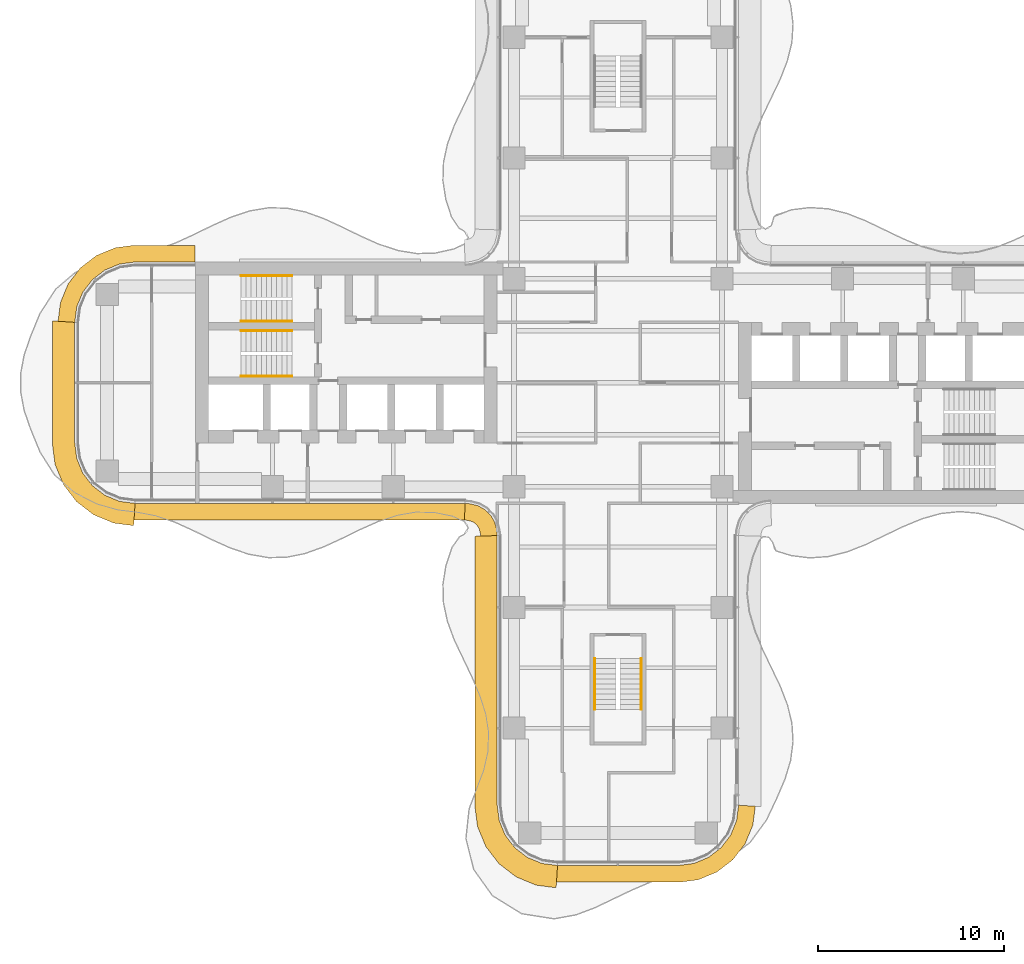
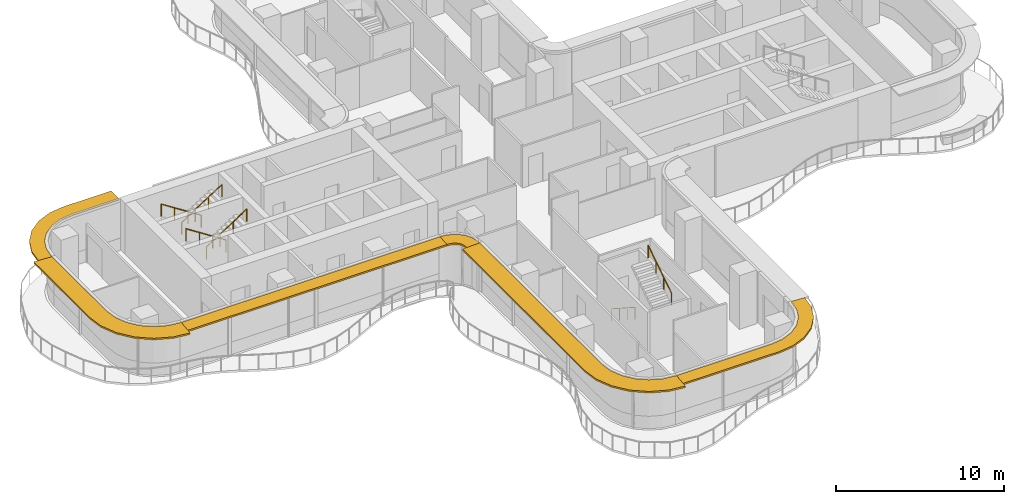
# One storey, part 17 of 18: 6 railings, 6 shading devices.
"""IFC4 building model written with IfcOpenShell, lengths in metres."""

from ifc_helpers import new_model, si_unit, direction, frame, origin, origin_2d, place, context, subcontext, project, spatial, polyline, circle, outline, extrude, source, transform, mapped, material, layer, layer_set, type_object, element, save


model = new_model("IFC4")

# Units and contexts
model_context = context("Model", 3, precision=1e-05, world=origin(), true_north=direction((0.0, 1.0)))
body_context = subcontext(model_context, "Body", "Model", "MODEL_VIEW")
ifc_project = project(units=[si_unit("LENGTHUNIT", "METRE"), si_unit("AREAUNIT", "SQUARE_METRE"), si_unit("VOLUMEUNIT", "CUBIC_METRE"), si_unit("PLANEANGLEUNIT", "RADIAN"), si_unit("MASSUNIT", "GRAM", prefix="KILO")], contexts=[model_context])

# Site, building, storey
site_placement = place(None, origin())
site = spatial("IfcSite", under=ifc_project, at=site_placement, CompositionType="ELEMENT")
building_placement = place(site_placement, origin())
building = spatial("IfcBuilding", under=site, at=building_placement, Name="Trellis Farm Tower", CompositionType="ELEMENT")
storey_placement = place(building_placement, frame((0.0, 0.0, 169.800048828125)))
storey = spatial("IfcBuildingStorey", under=building, at=storey_placement, Name="L36", CompositionType="ELEMENT", Elevation=169.800048828125)

# Railings
ifc_material_1 = material(Name="Stainless steel", Category="steel")
railing_type = type_object("IfcRailingType", Name="STAIR HANDRAIL 900", PredefinedType="HANDRAIL", material=ifc_material_1)
shared_shape_1 = source(origin(), body_context, "Body", "SweptSolid", [
    extrude(circle(Radius=0.02392578125, at=origin_2d()), frame((0.0, 0.0, 0.8759765625), z_axis=(0.0, 0.840503830235, 0.541805602924), x_axis=(-1.0, 0.0, 0.0)), (0.0, 0.0, 1.0), 3.271728515625),
    extrude(circle(Radius=0.02099609375, at=origin_2d()), origin(), (0.0, 0.0, 1.0), 0.851806640625),
    extrude(circle(Radius=0.02099609375, at=origin_2d()), frame((0.0, 0.916748046875, 0.5908203125)), (0.0, 0.0, 1.0), 0.851806640625),
    extrude(circle(Radius=0.02099609375, at=origin_2d()), frame((0.0, 1.833251953125, 1.181884765625)), (0.0, 0.0, 1.0), 0.851806640625),
    extrude(circle(Radius=0.02099609375, at=origin_2d()), frame((0.0, 2.75, 1.772705078125)), (0.0, 0.0, 1.0), 0.851806640625),
])
railing_1_placement = place(storey_placement, frame((1.25, -17.60009765625, 2.127197265625)))
element("IfcRailing", 1, at=railing_1_placement, inside=storey, type_object=railing_type, Name="Stair handrail", PredefinedType="HANDRAIL", context=body_context, shape_type="MappedRepresentation", body=[
    mapped(shared_shape_1, transform((0.0, 0.0, 0.0))),
])
shared_shape_2 = source(origin(), body_context, "Body", "SweptSolid", [
    extrude(circle(Radius=0.02392578125, at=origin_2d()), frame((0.0, 0.0, 0.8759765625), z_axis=(0.0, -0.840503830235, 0.541805602924), x_axis=(1.0, 0.0, 0.0)), (0.0, 0.0, 1.0), 3.271728515625),
    extrude(circle(Radius=0.02099609375, at=origin_2d()), origin(), (0.0, 0.0, 1.0), 0.851806640625),
    extrude(circle(Radius=0.02099609375, at=origin_2d()), frame((0.0, -0.916748046875, 0.5908203125)), (0.0, 0.0, 1.0), 0.851806640625),
    extrude(circle(Radius=0.02099609375, at=origin_2d()), frame((0.0, -1.833251953125, 1.181884765625)), (0.0, 0.0, 1.0), 0.851806640625),
    extrude(circle(Radius=0.02099609375, at=origin_2d()), frame((0.0, -2.75, 1.772705078125)), (0.0, 0.0, 1.0), 0.851806640625),
])
railing_2_placement = place(storey_placement, frame((-1.25, -14.85009765625, 0.17724609375)))
element("IfcRailing", 2, at=railing_2_placement, inside=storey, type_object=railing_type, Name="Stair handrail", PredefinedType="HANDRAIL", context=body_context, shape_type="MappedRepresentation", body=[
    mapped(shared_shape_2, transform((0.0, 0.0, 0.0))),
])
shared_shape_3 = source(origin(), body_context, "Body", "SweptSolid", [
    extrude(circle(Radius=0.02392578125, at=origin_2d()), frame((0.0, 0.0, 0.8759765625), z_axis=(0.840503830235, 0.0, 0.541805602924), x_axis=(0.0, 1.0, 0.0)), (0.0, 0.0, 1.0), 3.271728515625),
    extrude(circle(Radius=0.02099609375, at=origin_2d()), origin(), (0.0, 0.0, 1.0), 0.851806640625),
    extrude(circle(Radius=0.02099609375, at=origin_2d()), frame((0.916748046875, 0.0, 0.5908203125)), (0.0, 0.0, 1.0), 0.851806640625),
    extrude(circle(Radius=0.02099609375, at=origin_2d()), frame((1.833251953125, 0.0, 1.181884765625)), (0.0, 0.0, 1.0), 0.851806640625),
    extrude(circle(Radius=0.02099609375, at=origin_2d()), frame((2.75, 0.0, 1.772705078125)), (0.0, 0.0, 1.0), 0.851806640625),
])
for number, where, name in (
    (3, (-20.300048828125, 3.300048828125, 2.127197265625), "Stair handrail"),
    (4, (-20.300048828125, 0.35009765625, 2.127197265625), "Stair handrail"),
):
    element("IfcRailing", number, at=place(storey_placement, frame(where)), inside=storey, type_object=railing_type, Name=name, PredefinedType="HANDRAIL", context=body_context, shape_type="MappedRepresentation", body=[
        mapped(shared_shape_3, transform((0.0, 0.0, 0.0))),
    ])
shared_shape_4 = source(origin(), body_context, "Body", "SweptSolid", [
    extrude(circle(Radius=0.02392578125, at=origin_2d()), frame((0.0, 0.0, 0.8759765625), z_axis=(-0.840503830235, 0.0, 0.541805602924), x_axis=(0.0, -1.0, 0.0)), (0.0, 0.0, 1.0), 3.271728515625),
    extrude(circle(Radius=0.02099609375, at=origin_2d()), origin(), (0.0, 0.0, 1.0), 0.851806640625),
    extrude(circle(Radius=0.02099609375, at=origin_2d()), frame((-0.916748046875, 0.0, 0.5908203125)), (0.0, 0.0, 1.0), 0.851806640625),
    extrude(circle(Radius=0.02099609375, at=origin_2d()), frame((-1.833251953125, 0.0, 1.181884765625)), (0.0, 0.0, 1.0), 0.851806640625),
    extrude(circle(Radius=0.02099609375, at=origin_2d()), frame((-2.75, 0.0, 1.772705078125)), (0.0, 0.0, 1.0), 0.851806640625),
])
for number, where, name in (
    (5, (-17.550048828125, 5.75, 0.17724609375), "Stair handrail"),
    (6, (-17.550048828125, 2.800048828125, 0.17724609375), "Stair handrail"),
):
    element("IfcRailing", number, at=place(storey_placement, frame(where)), inside=storey, type_object=railing_type, Name=name, PredefinedType="HANDRAIL", context=body_context, shape_type="MappedRepresentation", body=[
        mapped(shared_shape_4, transform((0.0, 0.0, 0.0))),
    ])

# Shading devices
ifc_material_2 = material(Name="Aluminium extrusion 6063-T6", Category="aluminium")
ifc_layer_1 = layer(ifc_material_2, 0.1201171875)
ifc_layer_set_1 = layer_set([ifc_layer_1], Name="SUNSHADE BLADE 900")
shading_device_type_1 = type_object("IfcShadingDeviceType", Name="SUNSHADE BLADE 900", PredefinedType="USERDEFINED", material=ifc_layer_set_1)
shared_shape_5 = source(origin(), body_context, "Body", "SweptSolid", [
    extrude(outline(polyline([(-8.2607421875, -7.39990234375), (-8.107666015625, -7.409912109375), (-8.091552734375, -7.412109375), (-7.85595703125, -7.475341796875), (-7.697021484375, -7.567138671875), (-7.567138671875, -7.697021484375), (-7.475341796875, -7.85595703125), (-7.412109375, -8.091552734375), (-7.409912109375, -8.107666015625), (-7.39990234375, -8.2607421875), (-6.5, -8.2314453125), (-6.513916015625, -8.01953125), (-6.527587890625, -7.91552734375), (-6.63671875, -7.508544921875), (-6.846923828125, -7.144287109375), (-7.144287109375, -6.846923828125), (-7.508544921875, -6.63671875), (-7.91552734375, -6.527587890625), (-8.01953125, -6.513916015625), (-8.2314453125, -6.5), (-8.2607421875, -7.39990234375)])), origin(), (0.0, 0.0, 1.0), 0.119873046875),
])
placement = place(storey_placement, frame((0.0, 0.0, 3.5400390625)))
element("IfcShadingDevice", 7, at=placement, inside=storey, type_object=shading_device_type_1, Name="SD1 002", ObjectType="SUNSHADE", PredefinedType="USERDEFINED", context=body_context, shape_type="MappedRepresentation", body=[
    mapped(shared_shape_5, transform((0.0, 0.0, 0.0))),
])
ifc_layer_2 = layer(ifc_material_2, 0.1201171875)
ifc_layer_set_2 = layer_set([ifc_layer_2], Name="SUNSHADE BLADE 1200")
shading_device_type_2 = type_object("IfcShadingDeviceType", Name="SUNSHADE BLADE 1200", PredefinedType="USERDEFINED", material=ifc_layer_set_2)
shared_shape_6 = source(origin(), body_context, "Body", "SweptSolid", [
    extrude(outline(polyline([(-7.699951171875, -8.270751953125), (-7.699951171875, -22.82861328125), (-7.558349609375, -23.904541015625), (-7.11279296875, -24.980224609375), (-6.404052734375, -25.904052734375), (-5.480224609375, -26.61279296875), (-4.404541015625, -27.058349609375), (-3.32861328125, -27.199951171875), (-3.25, -26.0), (-4.091064453125, -25.88916015625), (-4.875, -25.564697265625), (-5.548095703125, -25.048095703125), (-6.064697265625, -24.375), (-6.38916015625, -23.591064453125), (-6.5, -22.75), (-6.5, -8.2314453125), (-7.699951171875, -8.270751953125)])), origin(), (0.0, 0.0, 1.0), 0.119873046875),
])
element("IfcShadingDevice", 8, at=placement, inside=storey, type_object=shading_device_type_2, Name="SD2 003", ObjectType="SUNSHADE", PredefinedType="USERDEFINED", context=body_context, shape_type="MappedRepresentation", body=[
    mapped(shared_shape_6, transform((0.0, 0.0, 0.0))),
])
shared_shape_7 = source(origin(), body_context, "Body", "SweptSolid", [
    extrude(outline(polyline([(-3.30908203125, -26.89990234375), (3.30908203125, -26.89990234375), (4.326171875, -26.76611328125), (5.328857421875, -26.350830078125), (6.18994140625, -25.68994140625), (6.850830078125, -24.828857421875), (7.26611328125, -23.826171875), (7.39990234375, -22.80908203125), (6.5, -22.75), (6.38916015625, -23.591064453125), (6.064697265625, -24.375), (5.548095703125, -25.048095703125), (4.875, -25.564697265625), (4.091064453125, -25.88916015625), (3.25, -26.0), (-3.25, -26.0), (-3.30908203125, -26.89990234375)])), origin(), (0.0, 0.0, 1.0), 0.119873046875),
])
element("IfcShadingDevice", 9, at=placement, inside=storey, type_object=shading_device_type_1, Name="SD1 004", ObjectType="SUNSHADE", PredefinedType="USERDEFINED", context=body_context, shape_type="MappedRepresentation", body=[
    mapped(shared_shape_7, transform((0.0, 0.0, 0.0))),
])
shared_shape_8 = source(origin(), body_context, "Body", "SweptSolid", [
    extrude(outline(polyline([(-26.05908203125, -7.39990234375), (-8.2607421875, -7.39990234375), (-8.2314453125, -6.5), (-26.0, -6.5), (-26.05908203125, -7.39990234375)])), origin(), (0.0, 0.0, 1.0), 0.119873046875),
])
element("IfcShadingDevice", 10, at=placement, inside=storey, type_object=shading_device_type_1, Name="SD1 001", ObjectType="SUNSHADE", PredefinedType="USERDEFINED", context=body_context, shape_type="MappedRepresentation", body=[
    mapped(shared_shape_8, transform((0.0, 0.0, 0.0))),
])
shared_shape_9 = source(origin(), body_context, "Body", "SweptSolid", [
    extrude(outline(polyline([(-22.780029296875, 7.39990234375), (-26.05908203125, 7.39990234375), (-27.076171875, 7.26611328125), (-28.078857421875, 6.850830078125), (-28.93994140625, 6.18994140625), (-29.600830078125, 5.328857421875), (-30.01611328125, 4.326171875), (-30.14990234375, 3.30908203125), (-29.25, 3.25), (-29.13916015625, 4.091064453125), (-28.814697265625, 4.875), (-28.298095703125, 5.548095703125), (-27.625, 6.064697265625), (-26.841064453125, 6.38916015625), (-26.0, 6.5), (-22.780029296875, 6.5), (-22.780029296875, 7.39990234375)])), origin(), (0.0, 0.0, 1.0), 0.119873046875),
])
element("IfcShadingDevice", 11, at=placement, inside=storey, type_object=shading_device_type_1, Name="SD1 015", ObjectType="SUNSHADE", PredefinedType="USERDEFINED", context=body_context, shape_type="MappedRepresentation", body=[
    mapped(shared_shape_9, transform((0.0, 0.0, 0.0))),
])
shared_shape_10 = source(origin(), body_context, "Body", "SweptSolid", [
    extrude(outline(polyline([(-30.449951171875, 3.32861328125), (-30.449951171875, -3.32861328125), (-30.308349609375, -4.404541015625), (-29.86279296875, -5.480224609375), (-29.154052734375, -6.404052734375), (-28.230224609375, -7.11279296875), (-27.154541015625, -7.558349609375), (-26.07861328125, -7.699951171875), (-26.0, -6.5), (-26.841064453125, -6.38916015625), (-27.625, -6.064697265625), (-28.298095703125, -5.548095703125), (-28.814697265625, -4.875), (-29.13916015625, -4.091064453125), (-29.25, -3.25), (-29.25, 3.25), (-30.449951171875, 3.32861328125)])), origin(), (0.0, 0.0, 1.0), 0.119873046875),
])
element("IfcShadingDevice", 12, at=placement, inside=storey, type_object=shading_device_type_2, Name="SD2 016", ObjectType="SUNSHADE", PredefinedType="USERDEFINED", context=body_context, shape_type="MappedRepresentation", body=[
    mapped(shared_shape_10, transform((0.0, 0.0, 0.0))),
])

save(model, "model.ifc")
